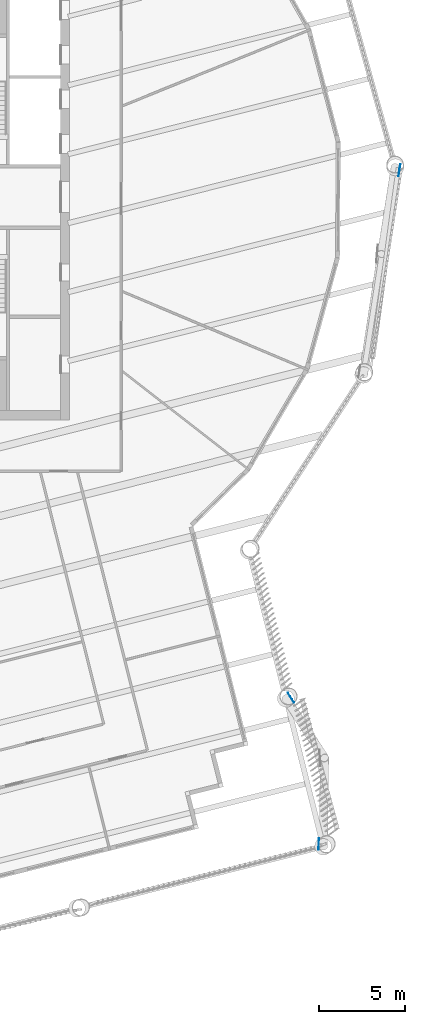
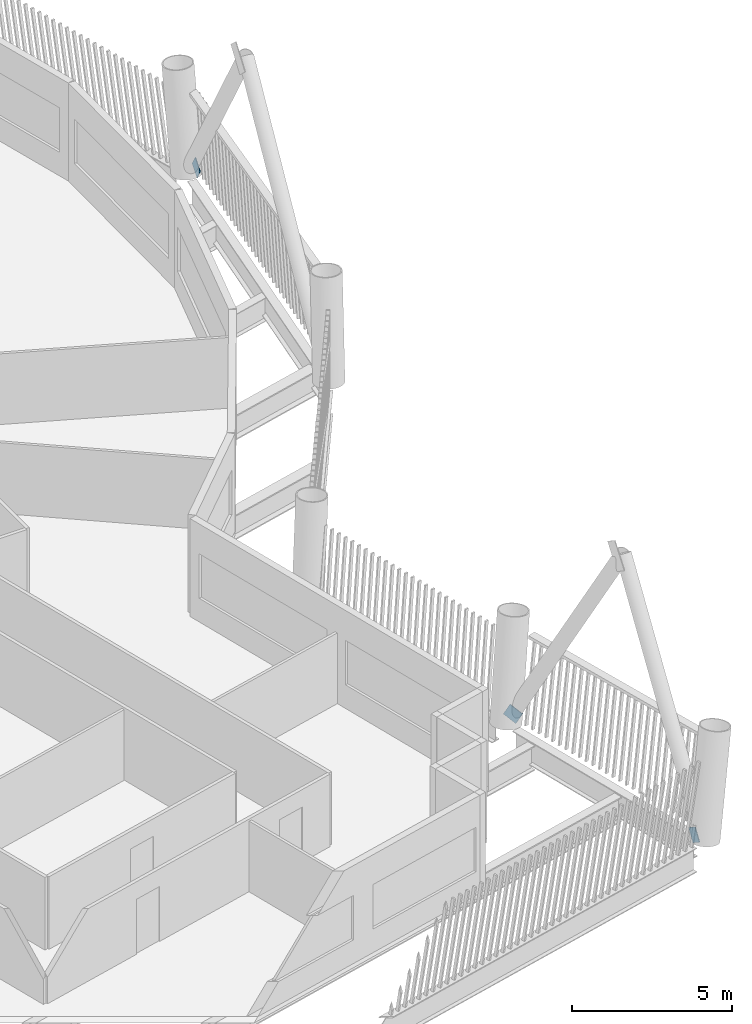
# One storey, part 13 of 22: 3 discrete accessories.
"""IFC4 building model written with IfcOpenShell, lengths in metres."""

from ifc_helpers import new_model, si_unit, direction, frame, origin, origin_2d, place, context, subcontext, project, spatial, rectangle, extrude, material, material_profile, profile_set, type_object, element, save


model = new_model("IFC4")

# Units and contexts
model_context = context("Model", 3, precision=1e-05, world=origin(), true_north=direction((0.0, 1.0)))
body_context = subcontext(model_context, "Body", "Model", "MODEL_VIEW")
ifc_project = project(units=[si_unit("LENGTHUNIT", "METRE"), si_unit("AREAUNIT", "SQUARE_METRE"), si_unit("VOLUMEUNIT", "CUBIC_METRE"), si_unit("PLANEANGLEUNIT", "RADIAN"), si_unit("MASSUNIT", "GRAM", prefix="KILO")], contexts=[model_context])

# Site, building, storey
site_placement = place(None, origin())
site = spatial("IfcSite", under=ifc_project, at=site_placement, CompositionType="ELEMENT")
building_placement = place(site_placement, origin())
building = spatial("IfcBuilding", under=site, at=building_placement, Name="Tarsis Ring Headquarters", CompositionType="ELEMENT")
storey_placement = place(building_placement, frame((0.0, 0.0, 286.39990234375)))
storey = spatial("IfcBuildingStorey", under=building, at=storey_placement, Name="L67", CompositionType="ELEMENT", Elevation=286.39990234375)

# Discrete accessories
ifc_material = material(Name="Structural steel S355", Category="steel")
ifc_material_profile = material_profile(ifc_material, rectangle(XDim=0.02490234375, YDim=0.5, at=origin_2d()), Name="PL 25x500")
ifc_profile_set = profile_set([ifc_material_profile], Name="Structural steel S355")
discrete_accessory_type = type_object("IfcDiscreteAccessoryType", Name="Gusset plate Exo brace 25", PredefinedType="BRACKET", material=ifc_profile_set)
for number, where, z_axis, x_axis, name in (
    (1, (24.527587890625, -37.892578125, 0.0), (0.007812391969, 0.551750182798, 0.833972842672), (-0.999899772295, 0.014157872882, 0.0), "Gusset plate GP5"),
    (2, (22.84619140625, -29.118408203125, 0.0), (0.25389956104, -0.393056051225, 0.883765779774), (0.839989837614, 0.542602131129, 0.0), "Gusset plate GP5"),
):
    element("IfcDiscreteAccessory", number, at=place(storey_placement, frame(where, z_axis=z_axis, x_axis=x_axis)), inside=storey, type_object=discrete_accessory_type, Name=name, PredefinedType="BRACKET", context=body_context, shape_type="SweptSolid", body=[
        extrude(rectangle(XDim=0.02490234375, YDim=0.5, at=origin_2d()), origin(), (0.0, 0.0, 1.0), 0.5),
    ])
discrete_accessory_placement = place(storey_placement, frame((29.259521484375, 1.69921875, 0.0), z_axis=(-0.084938036925, -0.543310546541, 0.835224029767), x_axis=(0.987999337032, -0.15445811738, 0.0)))
element("IfcDiscreteAccessory", 3, at=discrete_accessory_placement, inside=storey, type_object=discrete_accessory_type, Name="Gusset plate GP5", PredefinedType="BRACKET", context=body_context, shape_type="SweptSolid", body=[
    extrude(rectangle(XDim=0.02490234375, YDim=0.5, at=origin_2d()), origin(), (0.0, 0.0, 1.0), 0.500244140625),
])

save(model, "model.ifc")
